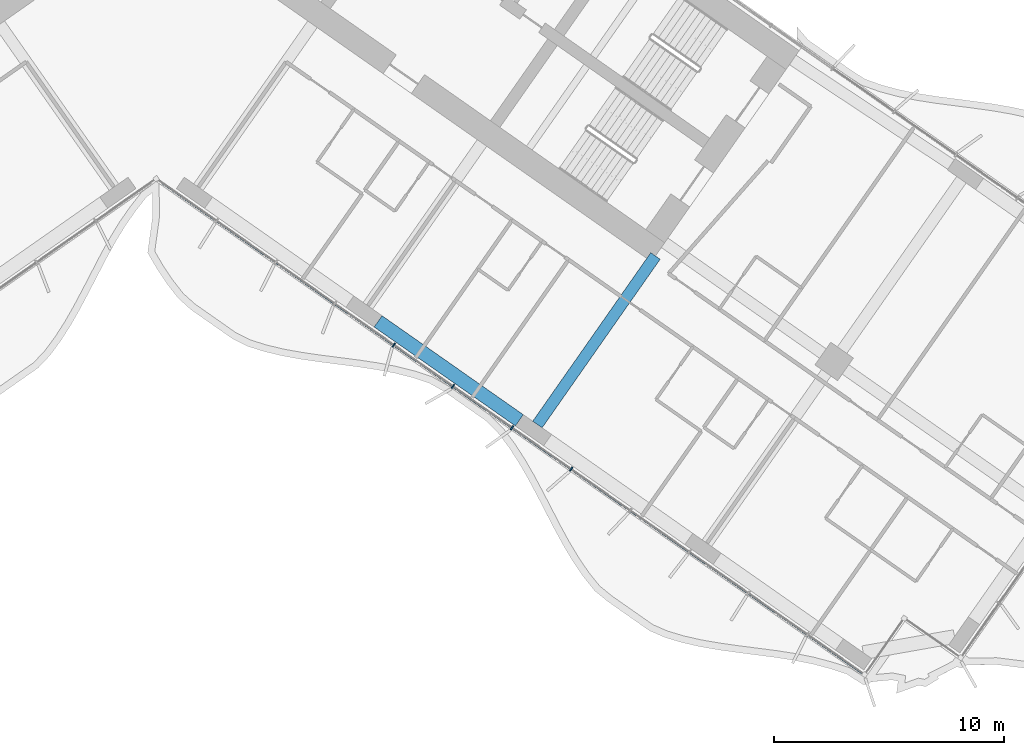
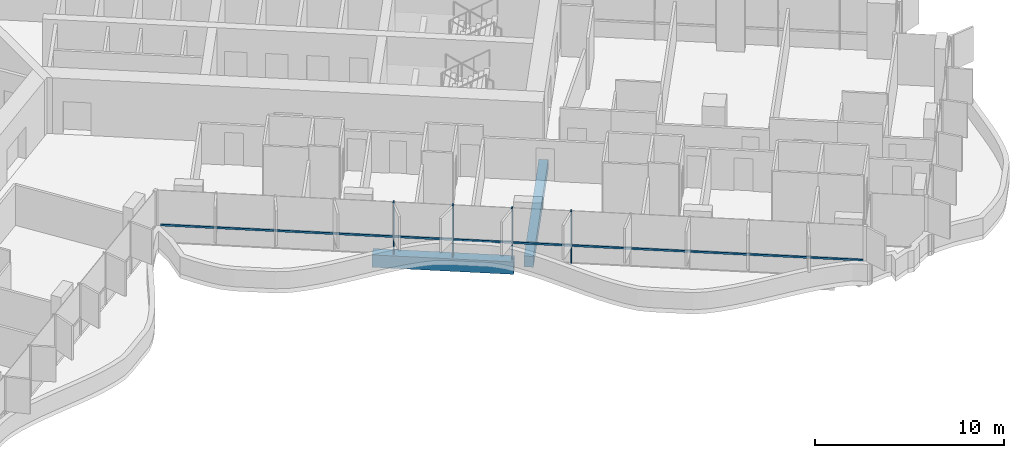
# One storey, part 5 of 24: 5 members, 2 beams, 1 element without a shape of its own.
"""IFC4 building model written with IfcOpenShell, lengths in metres."""

from ifc_helpers import new_model, si_unit, direction, frame, origin, origin_2d, place, context, subcontext, project, spatial, rectangle, extrude, material, material_profile, profile_set, type_object, element, aggregate, save


model = new_model("IFC4")

# Units and contexts
model_context = context("Model", 3, precision=1e-05, world=origin(), true_north=direction((0.0, 1.0)))
body_context = subcontext(model_context, "Body", "Model", "MODEL_VIEW")
ifc_project = project(units=[si_unit("LENGTHUNIT", "METRE"), si_unit("AREAUNIT", "SQUARE_METRE"), si_unit("VOLUMEUNIT", "CUBIC_METRE"), si_unit("PLANEANGLEUNIT", "RADIAN"), si_unit("MASSUNIT", "GRAM", prefix="KILO")], contexts=[model_context])

# Site, building, storey
site_placement = place(None, origin())
site = spatial("IfcSite", under=ifc_project, at=site_placement, CompositionType="ELEMENT")
building_placement = place(site_placement, origin())
building = spatial("IfcBuilding", under=site, at=building_placement, Name="Tel Ilan Convention Tower", CompositionType="ELEMENT")
storey_placement = place(building_placement, frame((0.0, 0.0, 65.300048828125)))
storey = spatial("IfcBuildingStorey", under=building, at=storey_placement, Name="L11", CompositionType="ELEMENT", Elevation=65.300048828125)

# Beams
ifc_material_1 = material(Name="Concrete C40/50", Category="concrete")
ifc_material_profile_1 = material_profile(ifc_material_1, rectangle(XDim=0.5, YDim=0.699951171875, at=origin_2d()), Name="RC 500x700")
ifc_profile_set_1 = profile_set([ifc_material_profile_1], Name="Concrete C40/50")
beam_type_1 = type_object("IfcBeamType", Name="Beam RC 500x700 Concrete C40/50", PredefinedType="BEAM", material=ifc_profile_set_1)
beam_1_placement = place(storey_placement, frame((16.58203125, -23.391357421875, -0.630126953125), z_axis=(0.573584999642, 0.819146048141, 0.0), x_axis=(-0.819146048141, 0.573584999642, 0.0)))
element("IfcBeam", 1, at=beam_1_placement, inside=storey, type_object=beam_type_1, Name="L11 beam E-E-F3-core", PredefinedType="BEAM", context=body_context, shape_type="SweptSolid", body=[
    extrude(rectangle(XDim=0.5, YDim=0.699951171875, at=origin_2d()), origin(), (0.0, 0.0, 1.0), 8.949951171875),
])
ifc_material_2 = material(Name="Concrete C40/50", Category="concrete")
ifc_material_profile_2 = material_profile(ifc_material_2, rectangle(XDim=0.60009765625, YDim=0.800048828125, at=origin_2d()), Name="RC 600x800")
ifc_profile_set_2 = profile_set([ifc_material_profile_2], Name="Concrete C40/50")
beam_type_2 = type_object("IfcBeamType", Name="Beam RC 600x800 Concrete C40/50", PredefinedType="BEAM", material=ifc_profile_set_2)
beam_2_placement = place(storey_placement, frame((9.652099609375, -18.905029296875, -0.679931640625), z_axis=(0.81915238829, -0.573575945067, 0.0), x_axis=(0.573575945067, 0.81915238829, 0.0)))
element("IfcBeam", 2, at=beam_2_placement, inside=storey, type_object=beam_type_2, Name="L11 beam E-E-F2-E-F3", PredefinedType="BEAM", context=body_context, shape_type="SweptSolid", body=[
    extrude(rectangle(XDim=0.60009765625, YDim=0.800048828125, at=origin_2d()), origin(), (0.0, 0.0, 1.0), 7.5),
])

# Curtain wall, members
ifc_material_3 = material(Name="Aluminium, bronze anodised", Category="aluminium")
curtain_wall_type = type_object("IfcCurtainWallType", Name="CW1 UNITISED CURTAIN WALL, HOTEL TINTED GLASS", PredefinedType="NOTDEFINED", material=ifc_material_3)
curtain_wall_placement = place(storey_placement, origin())
curtain_wall = element("IfcCurtainWall", 3, at=curtain_wall_placement, inside=storey, type_object=curtain_wall_type, Name="Curtain wall CW1-12.02", PredefinedType="NOTDEFINED")
ifc_material_4 = material(Name="Aluminium, bronze anodised", Category="aluminium")
ifc_material_profile_3 = material_profile(ifc_material_4, rectangle(XDim=0.06005859375, YDim=0.199951171875, at=origin_2d()), Name="CW MULLION 60x200")
ifc_profile_set_3 = profile_set([ifc_material_profile_3], Name="Aluminium, bronze anodised")
member_type_1 = type_object("IfcMemberType", Name="CW MULLION 60x200", PredefinedType="MULLION", material=ifc_profile_set_3)
member_1_placement = place(storey_placement, frame((10.337158203125, -19.93408203125, 0.0), z_axis=(0.0, 0.0, 1.0), x_axis=(0.819152044289, -0.573576436351, 0.0)))
member_1 = element("IfcMember", 4, at=member_1_placement, type_object=member_type_1, Name="Mullion", PredefinedType="MULLION", context=body_context, shape_type="SweptSolid", body=[
    extrude(rectangle(XDim=0.06005859375, YDim=0.199951171875, at=origin_2d()), origin(), (0.0, 0.0, 1.0), 3.320068359375),
])
member_2_placement = place(storey_placement, frame((12.906982421875, -21.733642578125, 0.0), z_axis=(0.0, 0.0, 1.0), x_axis=(0.819152044289, -0.573576436351, 0.0)))
member_2 = element("IfcMember", 5, at=member_2_placement, type_object=member_type_1, Name="Mullion", PredefinedType="MULLION", context=body_context, shape_type="SweptSolid", body=[
    extrude(rectangle(XDim=0.06005859375, YDim=0.199951171875, at=origin_2d()), origin(), (0.0, 0.0, 1.0), 3.320068359375),
])
member_3_placement = place(storey_placement, frame((15.47705078125, -23.533203125, 0.0), z_axis=(0.0, 0.0, 1.0), x_axis=(0.819152044289, -0.573576436351, 0.0)))
member_3 = element("IfcMember", 6, at=member_3_placement, type_object=member_type_1, Name="Mullion", PredefinedType="MULLION", context=body_context, shape_type="SweptSolid", body=[
    extrude(rectangle(XDim=0.06005859375, YDim=0.199951171875, at=origin_2d()), origin(), (0.0, 0.0, 1.0), 3.320068359375),
])
member_4_placement = place(storey_placement, frame((18.046875, -25.332763671875, 0.0), z_axis=(0.0, 0.0, 1.0), x_axis=(0.819152044289, -0.573576436351, 0.0)))
member_4 = element("IfcMember", 7, at=member_4_placement, type_object=member_type_1, Name="Mullion", PredefinedType="MULLION", context=body_context, shape_type="SweptSolid", body=[
    extrude(rectangle(XDim=0.06005859375, YDim=0.199951171875, at=origin_2d()), origin(), (0.0, 0.0, 1.0), 3.320068359375),
])
ifc_material_5 = material(Name="Aluminium, bronze anodised", Category="aluminium")
ifc_material_profile_4 = material_profile(ifc_material_5, rectangle(XDim=0.10009765625, YDim=0.1201171875, at=origin_2d()), Name="CW TRANSOM 100x120")
ifc_profile_set_4 = profile_set([ifc_material_profile_4], Name="Aluminium, bronze anodised")
member_type_2 = type_object("IfcMemberType", Name="CW TRANSOM 100x120", PredefinedType="USERDEFINED", material=ifc_profile_set_4)
member_5_placement = place(storey_placement, frame((0.22119140625, -12.850830078125, 1.099853515625), z_axis=(0.819152467103, -0.57357583251, 0.0), x_axis=(0.57357583251, 0.819152467103, 0.0)))
member_5 = element("IfcMember", 8, at=member_5_placement, type_object=member_type_2, Name="Transom", ObjectType="TRANSOM", PredefinedType="USERDEFINED", context=body_context, shape_type="SweptSolid", body=[
    extrude(rectangle(XDim=0.10009765625, YDim=0.1201171875, at=origin_2d()), origin(), (0.0, 0.0, 1.0), 37.247802734375),
])
aggregate(curtain_wall, [member_1, member_2, member_3, member_4, member_5])

save(model, "model.ifc")
